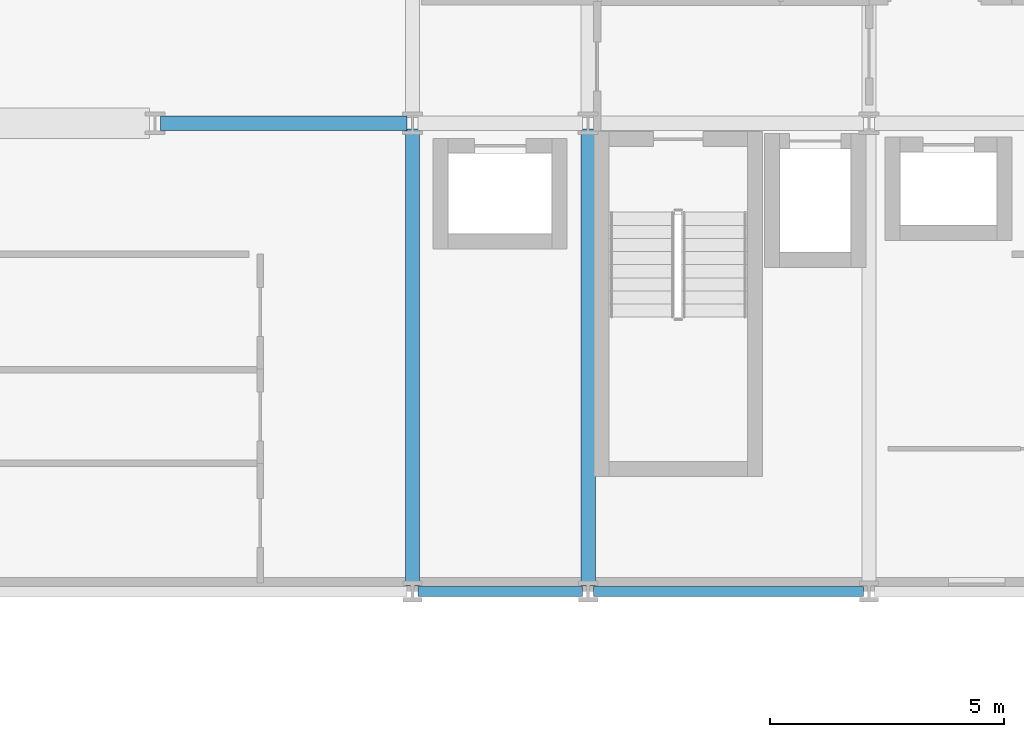
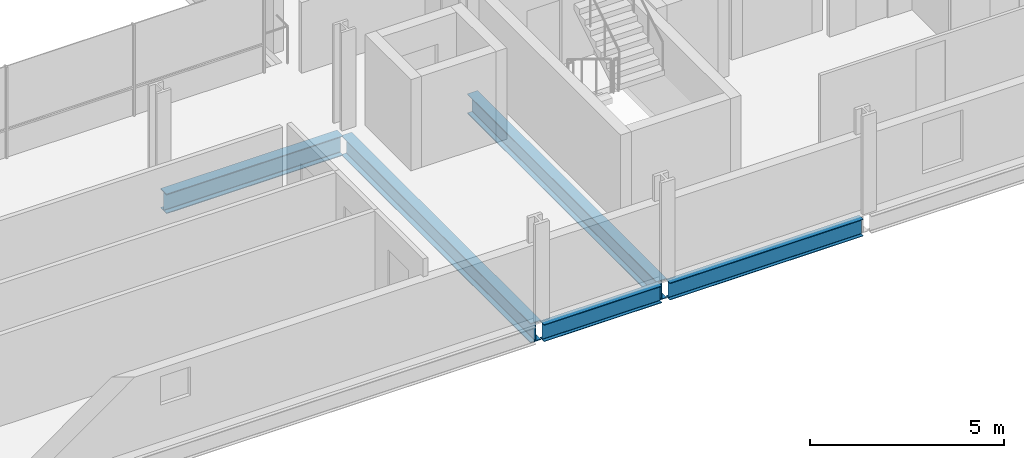
# One storey, part 12 of 40: 5 beams.
"""IFC4 building model written with IfcOpenShell, lengths in metres."""

from ifc_helpers import new_model, si_unit, direction, frame, origin, origin_2d, place, context, subcontext, project, spatial, i_section, extrude, material, material_profile, profile_set, type_object, element, save


model = new_model("IFC4")

# Units and contexts
model_context = context("Model", 3, precision=1e-05, world=origin(), true_north=direction((0.0, 1.0)))
body_context = subcontext(model_context, "Body", "Model", "MODEL_VIEW")
ifc_project = project(units=[si_unit("LENGTHUNIT", "METRE"), si_unit("AREAUNIT", "SQUARE_METRE"), si_unit("VOLUMEUNIT", "CUBIC_METRE"), si_unit("PLANEANGLEUNIT", "RADIAN"), si_unit("MASSUNIT", "GRAM", prefix="KILO")], contexts=[model_context])

# Site, building, storey
site_placement = place(None, origin())
site = spatial("IfcSite", under=ifc_project, at=site_placement, CompositionType="ELEMENT")
building_placement = place(site_placement, origin())
building = spatial("IfcBuilding", under=site, at=building_placement, Name="Brevholm Reach", CompositionType="ELEMENT")
storey_placement = place(building_placement, frame((0.0, 0.0, 37.300048828125)))
storey = spatial("IfcBuildingStorey", under=building, at=storey_placement, Name="L09", CompositionType="ELEMENT", Elevation=37.300048828125)

# Beams
ifc_material_1 = material(Name="Structural Steel S355J2", Category="steel")
ifc_material_profile_1 = material_profile(ifc_material_1, i_section(OverallWidth=0.210693359375, OverallDepth=0.53955078125, WebThickness=0.01171875, FlangeThickness=0.018798828125, FilletRadius=0.0126953125, at=origin_2d()), Name="UKB 533x210x109")
ifc_profile_set_1 = profile_set([ifc_material_profile_1], Name="Structural Steel S355J2")
beam_type_1 = type_object("IfcBeamType", Name="BM-SP539", PredefinedType="SPANDREL", material=ifc_profile_set_1)
beam_1_placement = place(storey_placement, frame((38.3701171875, 0.0, -0.499755859375), z_axis=(1.0, 0.0, 0.0), x_axis=(0.0, 1.0, 0.0)))
element("IfcBeam", 1, at=beam_1_placement, inside=storey, type_object=beam_type_1, Name="L09 SP-01B Framing Beam", PredefinedType="SPANDREL", context=body_context, shape_type="SweptSolid", body=[
    extrude(i_section(OverallWidth=0.210693359375, OverallDepth=0.53955078125, WebThickness=0.01171875, FlangeThickness=0.018798828125, FilletRadius=0.0126953125, at=origin_2d()), origin(), (0.0, 0.0, 1.0), 3.509765625),
])
beam_2_placement = place(storey_placement, frame((42.1201171875, 0.0, -0.499755859375), z_axis=(1.0, 0.0, 0.0), x_axis=(0.0, 1.0, 0.0)))
element("IfcBeam", 2, at=beam_2_placement, inside=storey, type_object=beam_type_1, Name="L09 SP-01B Framing Beam", PredefinedType="SPANDREL", context=body_context, shape_type="SweptSolid", body=[
    extrude(i_section(OverallWidth=0.210693359375, OverallDepth=0.53955078125, WebThickness=0.01171875, FlangeThickness=0.018798828125, FilletRadius=0.0126953125, at=origin_2d()), origin(), (0.0, 0.0, 1.0), 5.759765625),
])
ifc_material_2 = material(Name="Structural Steel S355J2", Category="steel")
ifc_material_profile_2 = material_profile(ifc_material_2, i_section(OverallWidth=0.30712890625, OverallDepth=0.6201171875, WebThickness=0.01416015625, FlangeThickness=0.023681640625, FilletRadius=0.0166015625, at=origin_2d()), Name="UKB 610x305x179")
ifc_profile_set_2 = profile_set([ifc_material_profile_2], Name="Structural Steel S355J2")
beam_type_2 = type_object("IfcBeamType", Name="BM-UKB610H", PredefinedType="USERDEFINED", material=ifc_profile_set_2)
beam_3_placement = place(storey_placement, frame((32.8701171875, 10.0, -0.5400390625), z_axis=(1.0, 0.0, 0.0), x_axis=(0.0, 1.0, 0.0)))
element("IfcBeam", 3, at=beam_3_placement, inside=storey, type_object=beam_type_2, Name="L09 G-06 Framing Beam", ObjectType="GIRDER", PredefinedType="USERDEFINED", context=body_context, shape_type="SweptSolid", body=[
    extrude(i_section(OverallWidth=0.30712890625, OverallDepth=0.6201171875, WebThickness=0.01416015625, FlangeThickness=0.023681640625, FilletRadius=0.0166015625, at=origin_2d()), origin(), (0.0, 0.0, 1.0), 5.259765625),
])
for number, where, z_axis, x_axis, name in (
    (4, (38.25, 0.1201171875, -0.5400390625), (0.0, 1.0, 0.0), (-1.0, 0.0, 0.0), "L09 G-06 Framing Beam"),
    (5, (42.0, 0.1201171875, -0.5400390625), (0.0, 1.0, 0.0), (-1.0, 0.0, 0.0), "L09 G-06 Framing Beam"),
):
    element("IfcBeam", number, at=place(storey_placement, frame(where, z_axis=z_axis, x_axis=x_axis)), inside=storey, type_object=beam_type_2, Name=name, ObjectType="GIRDER", PredefinedType="USERDEFINED", context=body_context, shape_type="SweptSolid", body=[
        extrude(i_section(OverallWidth=0.30712890625, OverallDepth=0.6201171875, WebThickness=0.01416015625, FlangeThickness=0.023681640625, FilletRadius=0.0166015625, at=origin_2d()), origin(), (0.0, 0.0, 1.0), 9.759765625),
    ])

save(model, "model.ifc")
